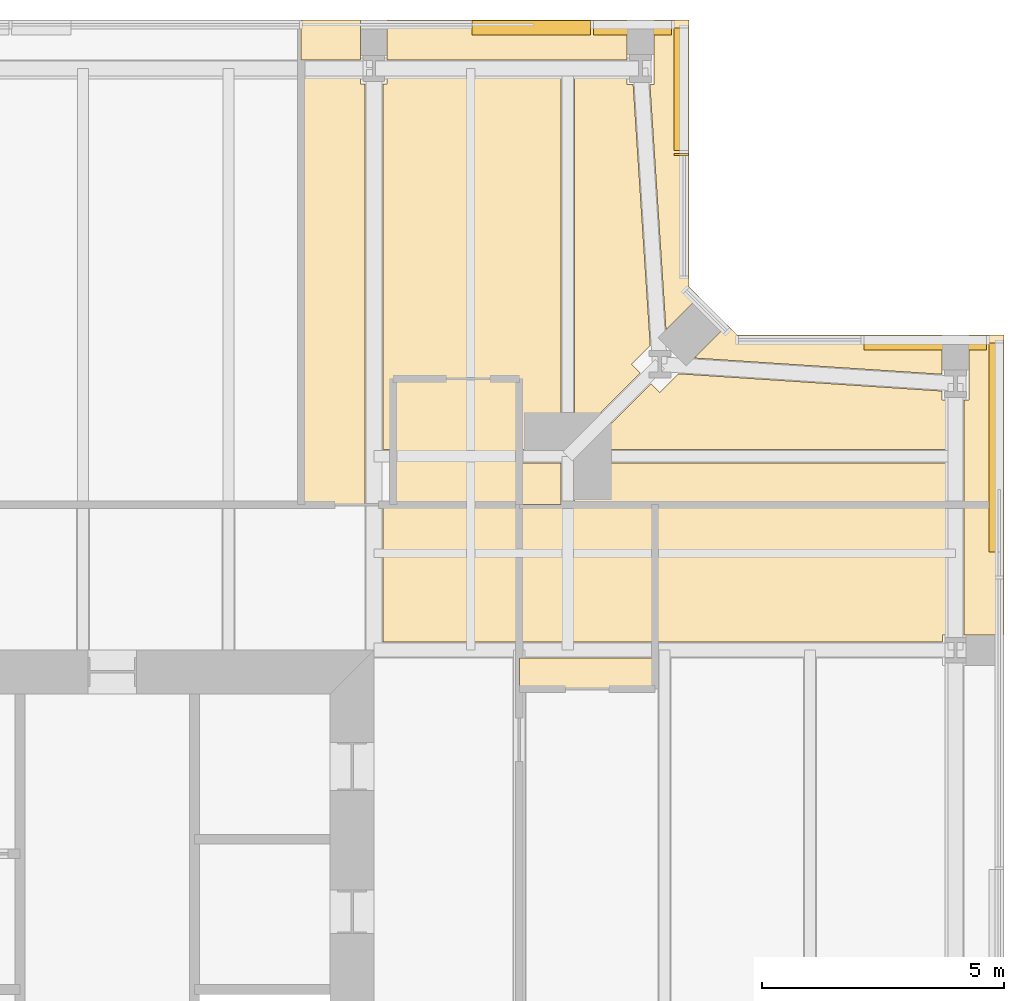
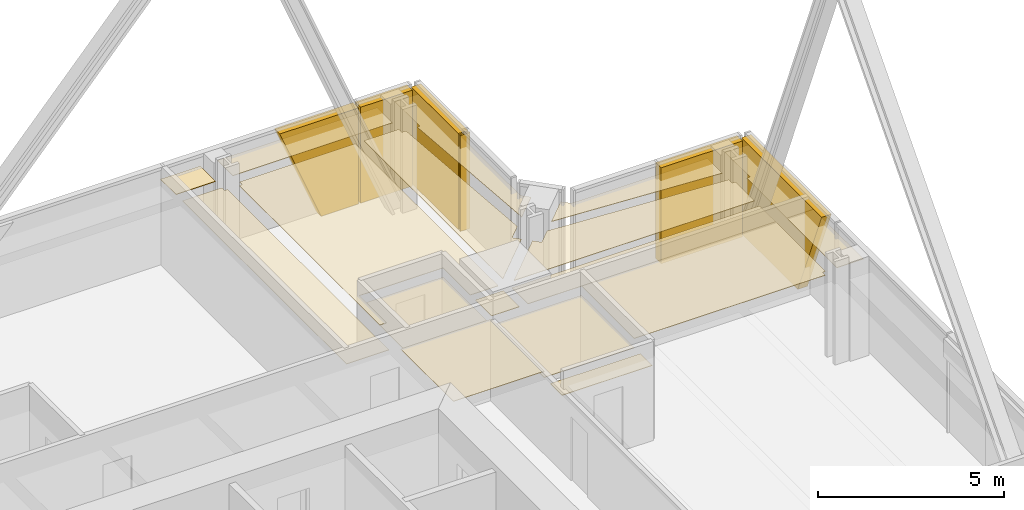
# One storey, part 19 of 19: 23 coverings.
"""IFC4 building model written with IfcOpenShell, lengths in metres."""

from ifc_helpers import new_model, si_unit, direction, frame, origin, place, context, subcontext, project, spatial, polyline, outline, extrude, material, layer, layer_set, type_object, element, save


model = new_model("IFC4")

# Units and contexts
model_context = context("Model", 3, precision=1e-05, world=origin(), true_north=direction((0.0, 1.0)))
body_context = subcontext(model_context, "Body", "Model", "MODEL_VIEW")
ifc_project = project(units=[si_unit("LENGTHUNIT", "METRE"), si_unit("AREAUNIT", "SQUARE_METRE"), si_unit("VOLUMEUNIT", "CUBIC_METRE"), si_unit("PLANEANGLEUNIT", "RADIAN"), si_unit("MASSUNIT", "GRAM", prefix="KILO")], contexts=[model_context])

# Site, building, storey
site_placement = place(None, origin())
site = spatial("IfcSite", under=ifc_project, at=site_placement, CompositionType="ELEMENT")
building_placement = place(site_placement, origin())
building = spatial("IfcBuilding", under=site, at=building_placement, Name="Fenwick Lantern Interchange", CompositionType="ELEMENT")
storey_placement = place(building_placement, frame((0.0, 0.0, 283.199951171875)))
storey = spatial("IfcBuildingStorey", under=building, at=storey_placement, Name="L68", CompositionType="ELEMENT", Elevation=283.199951171875)

# Coverings
ifc_material_1 = material(Name="Granite cladding, warm grey flamed finish, on aluminium carrier frame", Category="masonry")
ifc_layer_1 = layer(ifc_material_1, 0.300048828125)
ifc_layer_set_1 = layer_set([ifc_layer_1], Name="BRACE CASING PANEL 300")
covering_type_1 = type_object("IfcCoveringType", Name="BRACE CASING PANEL 300", PredefinedType="CLADDING", material=ifc_layer_set_1)
covering_1_placement = place(storey_placement, frame((49.89990234375, 6.60009765625, 0.0), z_axis=(0.0, 0.0, 1.0), x_axis=(0.0, 1.0, 0.0)))
element("IfcCovering", 1, at=covering_1_placement, inside=storey, type_object=covering_type_1, Name="Brace casing 05 bay 06a", PredefinedType="CLADDING", context=body_context, shape_type="SweptSolid", body=[
    extrude(outline(polyline([(33.708984375, 0.0), (36.739990234375, 0.0), (36.739990234375, 3.150146484375), (32.424072265625, 3.150146484375), (33.708984375, 0.0)])), frame((0.0, 0.2099609375, 0.0), z_axis=(0.0, -1.0, 0.0), x_axis=(1.0, 0.0, 0.0)), (0.0, 0.0, 1.0), 0.300048828125),
])
covering_2_placement = place(storey_placement, frame((49.89990234375, 43.39990234375, 0.0), z_axis=(0.0, 0.0, 1.0), x_axis=(-1.0, 0.0, 0.0)))
element("IfcCovering", 2, at=covering_2_placement, inside=storey, type_object=covering_type_1, Name="Brace casing 06 bay 00a", PredefinedType="CLADDING", context=body_context, shape_type="SweptSolid", body=[
    extrude(outline(polyline([(0.260009765625, 0.0), (2.790771484375, 0.0), (2.790771484375, 3.150146484375), (0.260009765625, 3.150146484375), (0.260009765625, 0.0)])), frame((0.0, 0.2099609375, 0.0), z_axis=(0.0, -1.0, 0.0), x_axis=(1.0, 0.0, 0.0)), (0.0, 0.0, 1.0), 0.300048828125),
])
covering_3_placement = place(storey_placement, frame((43.39990234375, 44.45849609375, 0.0), z_axis=(0.0, 0.0, 1.0), x_axis=(0.0, 1.0, 0.0)))
element("IfcCovering", 3, at=covering_3_placement, inside=storey, type_object=covering_type_1, Name="Brace casing 08 bay 00a", PredefinedType="CLADDING", context=body_context, shape_type="SweptSolid", body=[
    extrude(outline(polyline([(2.741455078125, 0.0), (2.790771484375, 0.0), (2.790771484375, 3.150146484375), (2.741455078125, 3.150146484375), (2.741455078125, 0.0)])), frame((0.0, 0.2099609375, 0.0), z_axis=(0.0, -1.0, 0.0), x_axis=(1.0, 0.0, 0.0)), (0.0, 0.0, 1.0), 0.300048828125),
])
covering_4_placement = place(storey_placement, frame((43.39990234375, 44.45849609375, 0.0), z_axis=(0.0, 0.0, 1.0), x_axis=(0.0, 1.0, 0.0)))
element("IfcCovering", 4, at=covering_4_placement, inside=storey, type_object=covering_type_1, Name="Brace casing 08 bay 01a", PredefinedType="CLADDING", context=body_context, shape_type="SweptSolid", body=[
    extrude(outline(polyline([(2.850830078125, 0.0), (5.38134765625, 0.0), (5.38134765625, 3.150146484375), (2.850830078125, 3.150146484375), (2.850830078125, 0.0)])), frame((0.0, 0.2099609375, 0.0), z_axis=(0.0, -1.0, 0.0), x_axis=(1.0, 0.0, 0.0)), (0.0, 0.0, 1.0), 0.300048828125),
])
covering_5_placement = place(storey_placement, frame((43.39990234375, 49.89990234375, 0.0), z_axis=(0.0, 0.0, 1.0), x_axis=(-1.0, 0.0, 0.0)))
element("IfcCovering", 5, at=covering_5_placement, inside=storey, type_object=covering_type_1, Name="Brace casing 09 bay 00a", PredefinedType="CLADDING", context=body_context, shape_type="SweptSolid", body=[
    extrude(outline(polyline([(0.260009765625, 0.0), (1.8701171875, 0.0), (1.8701171875, 3.150146484375), (0.260009765625, 3.150146484375), (0.260009765625, 0.0)])), frame((0.0, 0.2099609375, 0.0), z_axis=(0.0, -1.0, 0.0), x_axis=(1.0, 0.0, 0.0)), (0.0, 0.0, 1.0), 0.300048828125),
])
covering_6_placement = place(storey_placement, frame((43.39990234375, 49.89990234375, 0.0), z_axis=(0.0, 0.0, 1.0), x_axis=(-1.0, 0.0, 0.0)))
element("IfcCovering", 6, at=covering_6_placement, inside=storey, type_object=covering_type_1, Name="Brace casing 09 bay 01a", PredefinedType="CLADDING", context=body_context, shape_type="SweptSolid", body=[
    extrude(outline(polyline([(1.929931640625, 0.0), (3.091064453125, 0.0), (4.3759765625, 3.150146484375), (1.929931640625, 3.150146484375), (1.929931640625, 0.0)])), frame((0.0, 0.2099609375, 0.0), z_axis=(0.0, -1.0, 0.0), x_axis=(1.0, 0.0, 0.0)), (0.0, 0.0, 1.0), 0.300048828125),
])
ifc_material_2 = material(Name="Moisture resistant gypsum board on suspended frame, painted")
ifc_layer_2 = layer(ifc_material_2, 0.014892578125)
ifc_layer_set_2 = layer_set([ifc_layer_2], Name="MOISTURE RESISTANT CEILING 15")
covering_type_2 = type_object("IfcCoveringType", Name="MOISTURE RESISTANT CEILING 15", PredefinedType="CEILING", material=ifc_layer_set_2)
covering_7_placement = place(storey_placement, frame((0.0, 0.0, 2.400146484375)))
element("IfcCovering", 7, at=covering_7_placement, inside=storey, type_object=covering_type_2, Name="En-suite 6807 ceiling", PredefinedType="CEILING", context=body_context, shape_type="SweptSolid", body=[
    extrude(outline(polyline([(40.0, 40.0), (40.0, 37.166015625), (42.800048828125, 37.166015625), (42.800048828125, 40.0), (40.0, 40.0)])), origin(), (0.0, 0.0, 1.0), 0.014892578125),
])
covering_8_placement = place(storey_placement, frame((0.0, 0.0, 2.400146484375)))
element("IfcCovering", 8, at=covering_8_placement, inside=storey, type_object=covering_type_2, Name="En-suite 6807 ceiling", PredefinedType="CEILING", context=body_context, shape_type="SweptSolid", body=[
    extrude(outline(polyline([(42.800048828125, 36.199951171875), (42.800048828125, 36.833984375), (40.0, 36.833984375), (40.0, 36.199951171875), (42.800048828125, 36.199951171875)])), origin(), (0.0, 0.0, 1.0), 0.014892578125),
])
covering_9_placement = place(storey_placement, frame((0.0, 0.0, 2.400146484375)))
element("IfcCovering", 9, at=covering_9_placement, inside=storey, type_object=covering_type_2, Name="En-suite 6808 ceiling", PredefinedType="CEILING", context=body_context, shape_type="SweptSolid", body=[
    extrude(outline(polyline([(40.0, 42.60009765625), (37.39990234375, 42.60009765625), (37.39990234375, 40.0), (40.0, 40.0), (40.0, 42.60009765625)])), origin(), (0.0, 0.0, 1.0), 0.014892578125),
])
ifc_material_3 = material(Name="Gypsum plasterboard on suspended frame, painted")
ifc_layer_3 = layer(ifc_material_3, 0.014892578125)
ifc_layer_set_3 = layer_set([ifc_layer_3], Name="PLASTERBOARD CEILING 15")
covering_type_3 = type_object("IfcCoveringType", Name="PLASTERBOARD CEILING 15", PredefinedType="CEILING", material=ifc_layer_set_3)
covering_10_placement = place(storey_placement, frame((0.0, 0.0, 2.60009765625)))
element("IfcCovering", 10, at=covering_10_placement, inside=storey, type_object=covering_type_3, Name="Corridor ceiling", PredefinedType="CEILING", context=body_context, shape_type="SweptSolid", body=[
    extrude(outline(polyline([(40.0, 40.0), (37.183837890625, 40.0), (37.183837890625, 37.166015625), (40.0, 37.166015625), (40.0, 40.0)])), origin(), (0.0, 0.0, 1.0), 0.014892578125),
])
covering_11_placement = place(storey_placement, frame((0.0, 0.0, 2.699951171875)))
element("IfcCovering", 11, at=covering_11_placement, inside=storey, type_object=covering_type_3, Name="Guest suite 6807 ceiling", PredefinedType="CEILING", context=body_context, shape_type="SweptSolid", body=[
    extrude(outline(polyline([(48.72900390625, 37.3154296875), (48.82763671875, 37.3154296875), (48.82763671875, 40.0), (42.800048828125, 40.0), (42.800048828125, 37.166015625), (48.72900390625, 37.166015625), (48.72900390625, 37.3154296875)])), origin(), (0.0, 0.0, 1.0), 0.01513671875),
])
covering_12_placement = place(storey_placement, frame((0.0, 0.0, 2.699951171875)))
element("IfcCovering", 12, at=covering_12_placement, inside=storey, type_object=covering_type_3, Name="Guest suite 6807 ceiling", PredefinedType="CEILING", context=body_context, shape_type="SweptSolid", body=[
    extrude(outline(polyline([(49.17236328125, 37.3154296875), (50.0, 37.3154296875), (50.0, 40.0), (49.17236328125, 40.0), (49.17236328125, 37.3154296875)])), origin(), (0.0, 0.0, 1.0), 0.01513671875),
])
covering_13_placement = place(storey_placement, frame((0.0, 0.0, 2.699951171875)))
element("IfcCovering", 13, at=covering_13_placement, inside=storey, type_object=covering_type_3, Name="Guest suite 6808 ceiling", PredefinedType="CEILING", context=body_context, shape_type="SweptSolid", body=[
    extrude(outline(polyline([(40.0, 42.60009765625), (40.0, 41.134521484375), (40.865478515625, 41.134521484375), (40.865478515625, 48.82763671875), (37.27099609375, 48.82763671875), (37.27099609375, 48.6845703125), (37.183837890625, 48.6845703125), (37.183837890625, 41.134521484375), (37.39990234375, 41.134521484375), (37.39990234375, 42.60009765625), (40.0, 42.60009765625)])), origin(), (0.0, 0.0, 1.0), 0.01513671875),
])
covering_14_placement = place(storey_placement, frame((0.0, 0.0, 2.699951171875)))
element("IfcCovering", 14, at=covering_14_placement, inside=storey, type_object=covering_type_3, Name="Guest suite 6808 ceiling", PredefinedType="CEILING", context=body_context, shape_type="SweptSolid", body=[
    extrude(outline(polyline([(35.5, 40.0), (36.816162109375, 40.0), (36.816162109375, 48.6845703125), (36.72900390625, 48.6845703125), (36.72900390625, 48.82763671875), (35.5, 48.82763671875), (35.5, 40.0)])), origin(), (0.0, 0.0, 1.0), 0.01513671875),
])
covering_15_placement = place(storey_placement, frame((0.0, 0.0, 2.699951171875)))
element("IfcCovering", 15, at=covering_15_placement, inside=storey, type_object=covering_type_3, Name="Guest suite 6808 ceiling", PredefinedType="CEILING", context=body_context, shape_type="SweptSolid", body=[
    extrude(outline(polyline([(42.89990234375, 42.3173828125), (42.71728515625, 42.500244140625), (41.351318359375, 41.134521484375), (48.82763671875, 41.134521484375), (48.82763671875, 42.16552734375), (48.72265625, 42.16552734375), (48.72265625, 42.345458984375), (43.284423828125, 42.701904296875), (42.89990234375, 42.3173828125)])), origin(), (0.0, 0.0, 1.0), 0.01513671875),
])
covering_16_placement = place(storey_placement, frame((0.0, 0.0, 2.699951171875)))
element("IfcCovering", 16, at=covering_16_placement, inside=storey, type_object=covering_type_3, Name="Guest suite 6808 ceiling", PredefinedType="CEILING", context=body_context, shape_type="SweptSolid", body=[
    extrude(outline(polyline([(42.22265625, 48.66552734375), (42.22265625, 48.82763671875), (41.134521484375, 48.82763671875), (41.134521484375, 41.351318359375), (42.500244140625, 42.71728515625), (42.3173828125, 42.89990234375), (42.701904296875, 43.284423828125), (42.34912109375, 48.66552734375), (42.22265625, 48.66552734375)])), origin(), (0.0, 0.0, 1.0), 0.01513671875),
])
covering_17_placement = place(storey_placement, frame((0.0, 0.0, 2.699951171875)))
element("IfcCovering", 17, at=covering_17_placement, inside=storey, type_object=covering_type_3, Name="Guest suite 6808 ceiling", PredefinedType="CEILING", context=body_context, shape_type="SweptSolid", body=[
    extrude(outline(polyline([(41.134521484375, 40.0), (48.82763671875, 40.0), (48.82763671875, 40.865478515625), (41.134521484375, 40.865478515625), (41.134521484375, 40.0)])), origin(), (0.0, 0.0, 1.0), 0.01513671875),
])
covering_18_placement = place(storey_placement, frame((0.0, 0.0, 2.699951171875)))
element("IfcCovering", 18, at=covering_18_placement, inside=storey, type_object=covering_type_3, Name="Guest suite 6808 ceiling", PredefinedType="CEILING", context=body_context, shape_type="SweptSolid", body=[
    extrude(outline(polyline([(42.77734375, 48.66552734375), (42.69482421875, 48.66552734375), (43.0263671875, 43.60888671875), (43.708740234375, 44.291259765625), (43.5, 44.5), (43.5, 50.0), (42.77734375, 50.0), (42.77734375, 48.66552734375)])), origin(), (0.0, 0.0, 1.0), 0.01513671875),
])
covering_19_placement = place(storey_placement, frame((0.0, 0.0, 2.699951171875)))
element("IfcCovering", 19, at=covering_19_placement, inside=storey, type_object=covering_type_3, Name="Guest suite 6808 ceiling", PredefinedType="CEILING", context=body_context, shape_type="SweptSolid", body=[
    extrude(outline(polyline([(37.27099609375, 50.0), (37.27099609375, 49.17236328125), (42.22265625, 49.17236328125), (42.22265625, 50.0), (37.27099609375, 50.0)])), origin(), (0.0, 0.0, 1.0), 0.01513671875),
])
covering_20_placement = place(storey_placement, frame((0.0, 0.0, 2.699951171875)))
element("IfcCovering", 20, at=covering_20_placement, inside=storey, type_object=covering_type_3, Name="Guest suite 6808 ceiling", PredefinedType="CEILING", context=body_context, shape_type="SweptSolid", body=[
    extrude(outline(polyline([(44.291259765625, 43.708740234375), (43.60888671875, 43.0263671875), (48.72265625, 42.69091796875), (48.72265625, 43.5), (44.5, 43.5), (44.291259765625, 43.708740234375)])), origin(), (0.0, 0.0, 1.0), 0.01513671875),
])
covering_21_placement = place(storey_placement, frame((0.0, 0.0, 2.699951171875)))
element("IfcCovering", 21, at=covering_21_placement, inside=storey, type_object=covering_type_3, Name="Guest suite 6808 ceiling", PredefinedType="CEILING", context=body_context, shape_type="SweptSolid", body=[
    extrude(outline(polyline([(49.27734375, 43.5), (49.27734375, 42.16552734375), (49.17236328125, 42.16552734375), (49.17236328125, 40.0), (50.0, 40.0), (50.0, 43.5), (49.27734375, 43.5)])), origin(), (0.0, 0.0, 1.0), 0.01513671875),
])
covering_22_placement = place(storey_placement, frame((0.0, 0.0, 2.699951171875)))
element("IfcCovering", 22, at=covering_22_placement, inside=storey, type_object=covering_type_3, Name="Guest suite 6808 ceiling", PredefinedType="CEILING", context=body_context, shape_type="SweptSolid", body=[
    extrude(outline(polyline([(35.5, 50.0), (35.5, 49.17236328125), (36.72900390625, 49.17236328125), (36.72900390625, 50.0), (35.5, 50.0)])), origin(), (0.0, 0.0, 1.0), 0.01513671875),
])
covering_23_placement = place(storey_placement, frame((0.0, 0.0, 2.699951171875)))
element("IfcCovering", 23, at=covering_23_placement, inside=storey, type_object=covering_type_3, Name="Guest suite 6808 ceiling", PredefinedType="CEILING", context=body_context, shape_type="SweptSolid", body=[
    extrude(outline(polyline([(40.0, 40.0), (40.865478515625, 40.0), (40.865478515625, 40.865478515625), (40.0, 40.865478515625), (40.0, 40.0)])), origin(), (0.0, 0.0, 1.0), 0.01513671875),
])

save(model, "model.ifc")
